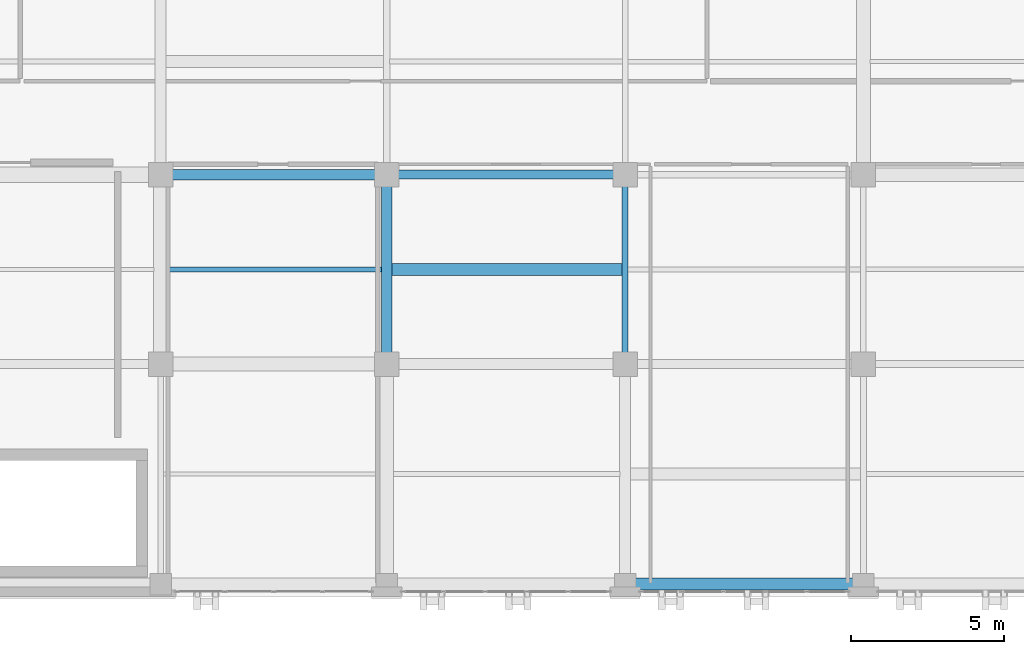
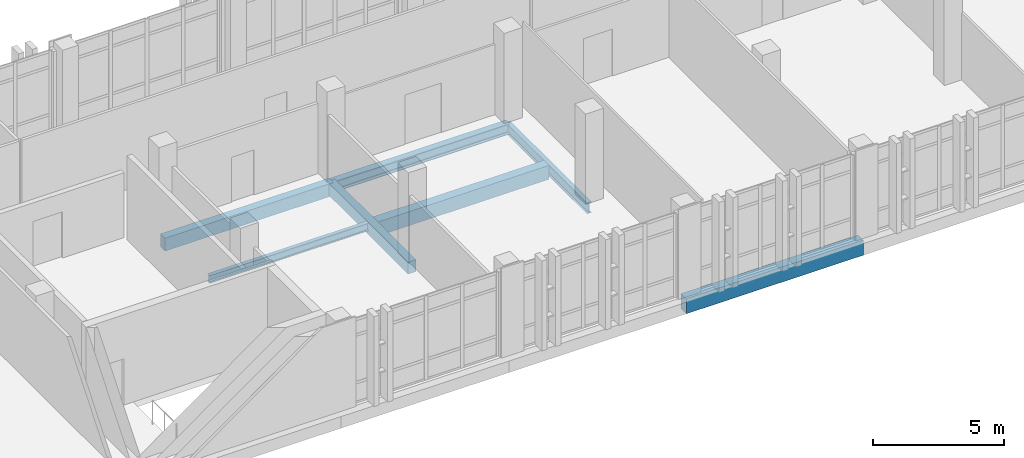
# One storey, part 117 of 193: 7 beams.
"""IFC4 building model written with IfcOpenShell, lengths in metres."""

from ifc_helpers import new_model, si_unit, direction, frame, origin, origin_2d, place, context, subcontext, project, spatial, rectangle, i_section, extrude, material, material_profile, profile_set, type_object, element, save


model = new_model("IFC4")

# Units and contexts
model_context = context("Model", 3, precision=1e-05, world=origin(), true_north=direction((0.0, 1.0)))
body_context = subcontext(model_context, "Body", "Model", "MODEL_VIEW")
ifc_project = project(units=[si_unit("LENGTHUNIT", "METRE"), si_unit("AREAUNIT", "SQUARE_METRE"), si_unit("VOLUMEUNIT", "CUBIC_METRE"), si_unit("PLANEANGLEUNIT", "RADIAN"), si_unit("MASSUNIT", "GRAM", prefix="KILO")], contexts=[model_context])

# Site, building, storey
site_placement = place(None, origin())
site = spatial("IfcSite", under=ifc_project, at=site_placement, CompositionType="ELEMENT")
building_placement = place(site_placement, origin())
building = spatial("IfcBuilding", under=site, at=building_placement, Name="Qalavern Law Courts", CompositionType="ELEMENT")
storey_placement = place(building_placement, frame((0.0, 0.0, 10.199951171875)))
storey = spatial("IfcBuildingStorey", under=building, at=storey_placement, Name="L02", CompositionType="ELEMENT", Elevation=10.199951171875)

# Beams
ifc_material_1 = material(Name="Steel S355", Category="steel")
ifc_material_profile_1 = material_profile(ifc_material_1, i_section(OverallWidth=0.300048828125, OverallDepth=0.489990234375, WebThickness=0.011962890625, FlangeThickness=0.02294921875, FilletRadius=0.027099609375, at=origin_2d()), Name="HEA 500")
ifc_profile_set_1 = profile_set([ifc_material_profile_1], Name="Steel S355")
beam_type_1 = type_object("IfcBeamType", Name="STR-BM-HEA500", PredefinedType="BEAM", material=ifc_profile_set_1)
beam_1_placement = place(storey_placement, frame((134.199951171875, 14.800048828125, -0.534912109375), z_axis=(1.0, 0.0, 0.0), x_axis=(0.0, 1.0, 0.0)))
element("IfcBeam", 1, at=beam_1_placement, inside=storey, type_object=beam_type_1, Name="V6 X-beam 3-5 L02", PredefinedType="BEAM", context=body_context, shape_type="SweptSolid", body=[
    extrude(i_section(OverallWidth=0.300048828125, OverallDepth=0.489990234375, WebThickness=0.011962890625, FlangeThickness=0.02294921875, FilletRadius=0.027099609375, at=origin_2d()), origin(), (0.0, 0.0, 1.0), 7.800048828125),
])
ifc_material_profile_2 = material_profile(ifc_material_1, i_section(OverallWidth=0.199951171875, OverallDepth=0.5, WebThickness=0.01025390625, FlangeThickness=0.01611328125, FilletRadius=0.02099609375, at=origin_2d()), Name="IPE 500")
ifc_profile_set_2 = profile_set([ifc_material_profile_2], Name="Steel S355")
beam_type_2 = type_object("IfcBeamType", Name="STR-BM-IPE500", PredefinedType="BEAM", material=ifc_profile_set_2)
beam_2_placement = place(storey_placement, frame((142.0, 8.60009765625, -0.5400390625), z_axis=(0.0, 1.0, 0.0), x_axis=(-1.0, 0.0, 0.0)))
element("IfcBeam", 2, at=beam_2_placement, inside=storey, type_object=beam_type_2, Name="V6 Y-beam 6-2 L02", PredefinedType="BEAM", context=body_context, shape_type="SweptSolid", body=[
    extrude(i_section(OverallWidth=0.199951171875, OverallDepth=0.5, WebThickness=0.01025390625, FlangeThickness=0.01611328125, FilletRadius=0.02099609375, at=origin_2d()), origin(), (0.0, 0.0, 1.0), 6.199951171875),
])
ifc_material_2 = material(Name="Concrete C35/45", Category="concrete")
ifc_material_profile_3 = material_profile(ifc_material_2, rectangle(XDim=0.35009765625, YDim=0.550048828125, at=origin_2d()), Name="RC 350x550")
ifc_profile_set_3 = profile_set([ifc_material_profile_3], Name="Concrete C35/45")
beam_type_3 = type_object("IfcBeamType", Name="STR-BM-RC350x550", PredefinedType="BEAM", material=ifc_profile_set_3)
beam_3_placement = place(storey_placement, frame((134.199951171875, 8.60009765625, -0.56494140625), z_axis=(0.0, 1.0, 0.0), x_axis=(-1.0, 0.0, 0.0)))
element("IfcBeam", 3, at=beam_3_placement, inside=storey, type_object=beam_type_3, Name="V6 Y-beam 5-2 L02", PredefinedType="BEAM", context=body_context, shape_type="SweptSolid", body=[
    extrude(rectangle(XDim=0.35009765625, YDim=0.550048828125, at=origin_2d()), origin(), (0.0, 0.0, 1.0), 6.199951171875),
])
ifc_material_profile_4 = material_profile(ifc_material_2, rectangle(XDim=0.35009765625, YDim=0.60009765625, at=origin_2d()), Name="RC 350x600")
ifc_profile_set_4 = profile_set([ifc_material_profile_4], Name="Concrete C35/45")
beam_type_4 = type_object("IfcBeamType", Name="STR-BM-RC350x600", PredefinedType="BEAM", material=ifc_profile_set_4)
beam_4_placement = place(storey_placement, frame((126.800048828125, 14.800048828125, -0.58984375), z_axis=(1.0, 0.0, 0.0), x_axis=(0.0, 1.0, 0.0)))
element("IfcBeam", 4, at=beam_4_placement, inside=storey, type_object=beam_type_4, Name="V6 X-beam 3-4 L02", PredefinedType="BEAM", context=body_context, shape_type="SweptSolid", body=[
    extrude(rectangle(XDim=0.35009765625, YDim=0.60009765625, at=origin_2d()), origin(), (0.0, 0.0, 1.0), 7.39990234375),
])
ifc_material_profile_5 = material_profile(ifc_material_1, i_section(OverallWidth=0.169921875, OverallDepth=0.360107421875, WebThickness=0.008056640625, FlangeThickness=0.0126953125, FilletRadius=0.01806640625, at=origin_2d()), Name="IPE 360")
ifc_profile_set_5 = profile_set([ifc_material_profile_5], Name="Steel S355")
beam_type_5 = type_object("IfcBeamType", Name="STR-JST-IPE360", PredefinedType="JOIST", material=ifc_profile_set_5)
beam_5_placement = place(storey_placement, frame((127.02294921875, 11.699951171875, -0.469970703125), z_axis=(1.0, 0.0, 0.0), x_axis=(0.0, 1.0, 0.0)))
element("IfcBeam", 5, at=beam_5_placement, inside=storey, type_object=beam_type_5, Name="V6 secondary joist 4.2.1 L02", PredefinedType="JOIST", context=body_context, shape_type="SweptSolid", body=[
    extrude(i_section(OverallWidth=0.169921875, OverallDepth=0.360107421875, WebThickness=0.008056640625, FlangeThickness=0.0126953125, FilletRadius=0.01806640625, at=origin_2d()), origin(), (0.0, 0.0, 1.0), 7.004150390625),
])
ifc_material_profile_6 = material_profile(ifc_material_2, rectangle(XDim=0.39990234375, YDim=0.64990234375, at=origin_2d()), Name="RC 400x650")
ifc_profile_set_6 = profile_set([ifc_material_profile_6], Name="Concrete C35/45")
beam_type_6 = type_object("IfcBeamType", Name="STR-JST-RC400x650", PredefinedType="JOIST", material=ifc_profile_set_6)
beam_6_placement = place(storey_placement, frame((134.373046875, 11.699951171875, -0.614990234375), z_axis=(1.0, 0.0, 0.0), x_axis=(0.0, 1.0, 0.0)))
element("IfcBeam", 6, at=beam_6_placement, inside=storey, type_object=beam_type_6, Name="V6 secondary joist 5.2.1 L02", PredefinedType="JOIST", context=body_context, shape_type="SweptSolid", body=[
    extrude(rectangle(XDim=0.39990234375, YDim=0.64990234375, at=origin_2d()), origin(), (0.0, 0.0, 1.0), 7.529052734375),
])
ifc_material_3 = material(Name="Concrete C40/50", Category="concrete")
ifc_material_profile_7 = material_profile(ifc_material_3, rectangle(XDim=0.39990234375, YDim=0.699951171875, at=origin_2d()), Name="RC 400x700")
ifc_profile_set_7 = profile_set([ifc_material_profile_7], Name="Concrete C40/50")
beam_type_7 = type_object("IfcBeamType", Name="STR-SP-RC400x700", PredefinedType="SPANDREL", material=ifc_profile_set_7)
beam_7_placement = place(storey_placement, frame((142.0, 1.39990234375, -0.639892578125), z_axis=(1.0, 0.0, 0.0), x_axis=(0.0, 1.0, 0.0)))
element("IfcBeam", 7, at=beam_7_placement, inside=storey, type_object=beam_type_7, Name="V6 X-beam 1-6 L02", PredefinedType="SPANDREL", context=body_context, shape_type="SweptSolid", body=[
    extrude(rectangle(XDim=0.39990234375, YDim=0.699951171875, at=origin_2d()), origin(), (0.0, 0.0, 1.0), 7.800048828125),
])

save(model, "model.ifc")
